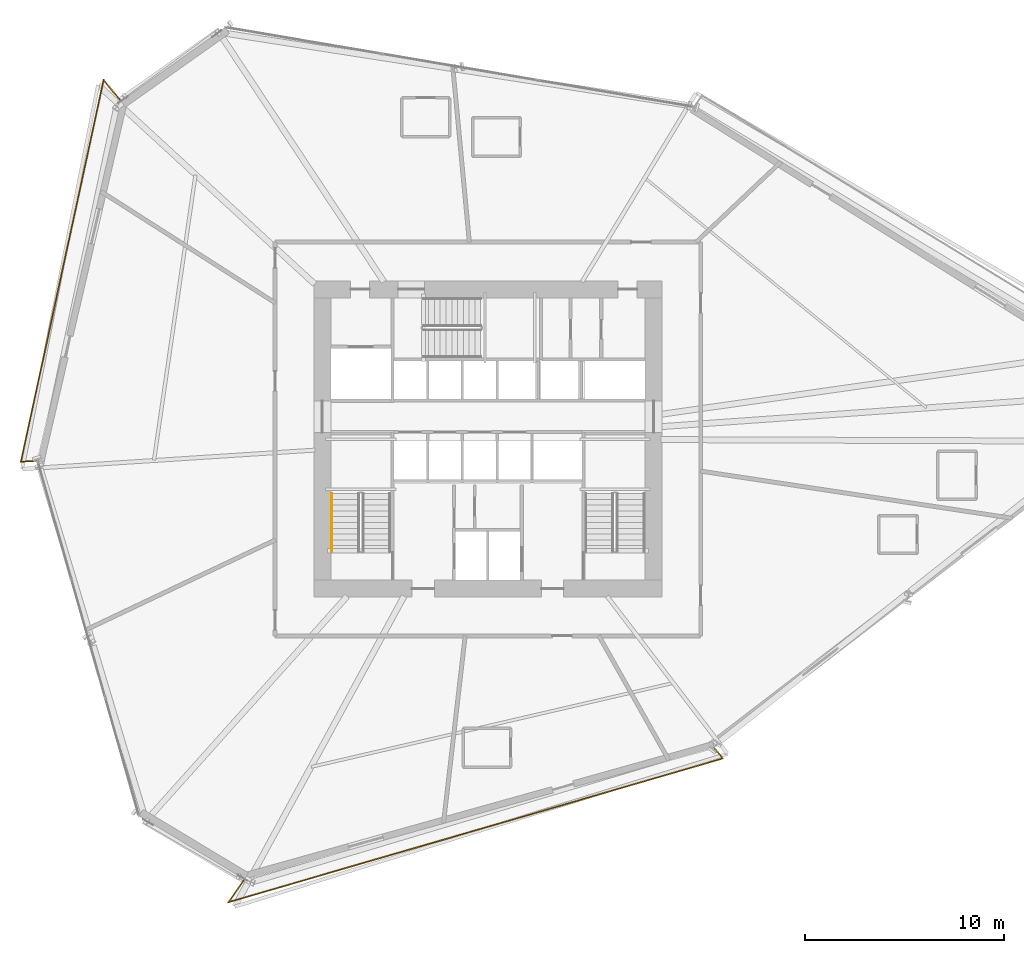
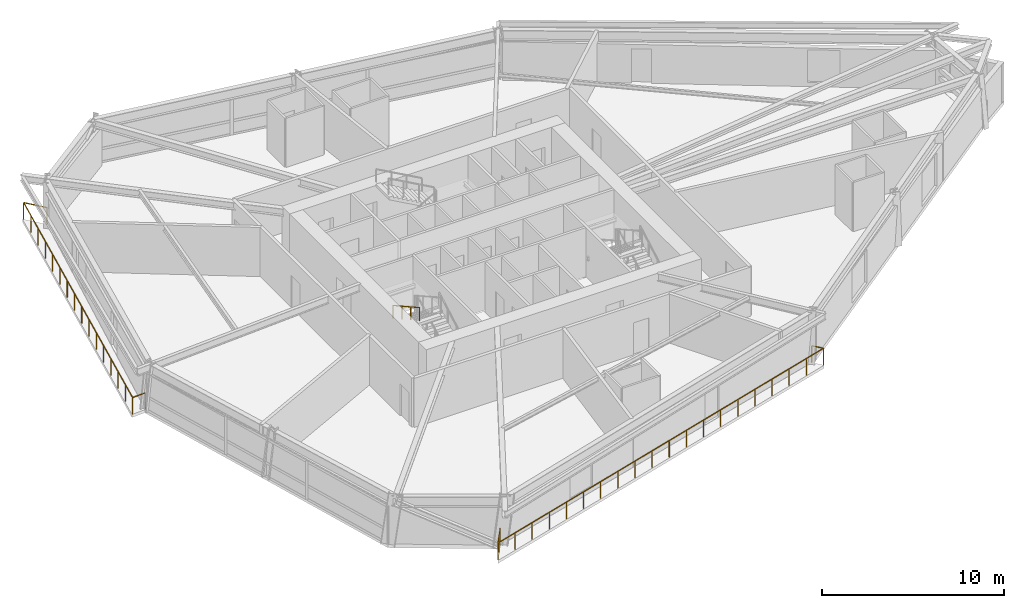
# One storey, part 19 of 21: 3 railings.
"""IFC4 building model written with IfcOpenShell, lengths in metres."""

from ifc_helpers import new_model, si_unit, direction, frame, origin, origin_2d, place, context, subcontext, project, spatial, rectangle, extrude, material, type_object, element, save


model = new_model("IFC4")

# Units and contexts
model_context = context("Model", 3, precision=1e-05, world=origin(), true_north=direction((0.0, 1.0)))
body_context = subcontext(model_context, "Body", "Model", "MODEL_VIEW")
ifc_project = project(units=[si_unit("LENGTHUNIT", "METRE"), si_unit("AREAUNIT", "SQUARE_METRE"), si_unit("VOLUMEUNIT", "CUBIC_METRE"), si_unit("PLANEANGLEUNIT", "RADIAN"), si_unit("MASSUNIT", "GRAM", prefix="KILO")], contexts=[model_context])

# Site, building, storey
site_placement = place(None, origin())
site = spatial("IfcSite", under=ifc_project, at=site_placement, CompositionType="ELEMENT")
building_placement = place(site_placement, origin())
building = spatial("IfcBuilding", under=site, at=building_placement, Name="Olszyna Solenne Hotel", CompositionType="ELEMENT")
storey_placement = place(building_placement, frame((0.0, 0.0, 47.050048828125)))
storey = spatial("IfcBuildingStorey", under=building, at=storey_placement, Name="L11", CompositionType="ELEMENT", Elevation=47.050048828125)

# Railings
ifc_material_1 = material(Name="Anodised bronze aluminium", Category="aluminium")
railing_type_1 = type_object("IfcRailingType", Name="GR-110", PredefinedType="BALUSTRADE", material=ifc_material_1)
railing_1_placement = place(storey_placement, frame((19.549560546875, 43.5888671875, 0.0)))
element("IfcRailing", 1, at=railing_1_placement, inside=storey, type_object=railing_type_1, Name="Loggia balcony balustrade guard GR-L11-LG2", PredefinedType="BALUSTRADE", context=body_context, shape_type="SweptSolid", body=[
    extrude(rectangle(XDim=0.048095703125, YDim=0.048095703125, at=origin_2d()), frame((0.0, 0.0, 1.1259765625), z_axis=(-0.632948589205, 0.774193828071, 0.0), x_axis=(-0.774193828071, -0.632948589205, 0.0)), (0.0, 0.0, 1.0), 1.37939453125),
    extrude(rectangle(XDim=0.048095703125, YDim=0.048095703125, at=origin_2d()), frame((-0.873046875, 1.06787109375, 1.1259765625), z_axis=(-0.211859569865, -0.97730011903, 0.0), x_axis=(0.97730011903, -0.211859569865, 0.0)), (0.0, 0.0, 1.0), 19.64794921875),
    extrude(rectangle(XDim=0.048095703125, YDim=0.048095703125, at=origin_2d()), frame((-5.03564453125, -18.134033203125, 1.1259765625), z_axis=(0.998510565652, 0.054558686588, 0.0), x_axis=(-0.054558686588, 0.998510565652, 0.0)), (0.0, 0.0, 1.0), 0.845703125),
    extrude(rectangle(XDim=0.0419921875, YDim=0.0419921875, at=origin_2d()), origin(), (0.0, 0.0, 1.0), 1.101806640625),
    extrude(rectangle(XDim=0.0419921875, YDim=0.0419921875, at=origin_2d()), frame((-0.873046875, 1.06787109375, 0.0)), (0.0, 0.0, 1.0), 1.101806640625),
    extrude(rectangle(XDim=0.0419921875, YDim=0.0419921875, at=origin_2d()), frame((-1.150634765625, -0.212158203125, 0.0)), (0.0, 0.0, 1.0), 1.101806640625),
    extrude(rectangle(XDim=0.0419921875, YDim=0.0419921875, at=origin_2d()), frame((-1.427978515625, -1.492431640625, 0.0)), (0.0, 0.0, 1.0), 1.101806640625),
    extrude(rectangle(XDim=0.0419921875, YDim=0.0419921875, at=origin_2d()), frame((-1.70556640625, -2.7724609375, 0.0)), (0.0, 0.0, 1.0), 1.101806640625),
    extrude(rectangle(XDim=0.0419921875, YDim=0.0419921875, at=origin_2d()), frame((-1.983154296875, -4.052734375, 0.0)), (0.0, 0.0, 1.0), 1.101806640625),
    extrude(rectangle(XDim=0.0419921875, YDim=0.0419921875, at=origin_2d()), frame((-2.260498046875, -5.332763671875, 0.0)), (0.0, 0.0, 1.0), 1.101806640625),
    extrude(rectangle(XDim=0.0419921875, YDim=0.0419921875, at=origin_2d()), frame((-2.5380859375, -6.61279296875, 0.0)), (0.0, 0.0, 1.0), 1.101806640625),
    extrude(rectangle(XDim=0.0419921875, YDim=0.0419921875, at=origin_2d()), frame((-2.815673828125, -7.89306640625, 0.0)), (0.0, 0.0, 1.0), 1.101806640625),
    extrude(rectangle(XDim=0.0419921875, YDim=0.0419921875, at=origin_2d()), frame((-3.093017578125, -9.173095703125, 0.0)), (0.0, 0.0, 1.0), 1.101806640625),
    extrude(rectangle(XDim=0.0419921875, YDim=0.0419921875, at=origin_2d()), frame((-3.37060546875, -10.453369140625, 0.0)), (0.0, 0.0, 1.0), 1.101806640625),
    extrude(rectangle(XDim=0.0419921875, YDim=0.0419921875, at=origin_2d()), frame((-3.648193359375, -11.7333984375, 0.0)), (0.0, 0.0, 1.0), 1.101806640625),
    extrude(rectangle(XDim=0.0419921875, YDim=0.0419921875, at=origin_2d()), frame((-3.925537109375, -13.013427734375, 0.0)), (0.0, 0.0, 1.0), 1.101806640625),
    extrude(rectangle(XDim=0.0419921875, YDim=0.0419921875, at=origin_2d()), frame((-4.203125, -14.293701171875, 0.0)), (0.0, 0.0, 1.0), 1.101806640625),
    extrude(rectangle(XDim=0.0419921875, YDim=0.0419921875, at=origin_2d()), frame((-4.480712890625, -15.57373046875, 0.0)), (0.0, 0.0, 1.0), 1.101806640625),
    extrude(rectangle(XDim=0.0419921875, YDim=0.0419921875, at=origin_2d()), frame((-4.758056640625, -16.85400390625, 0.0)), (0.0, 0.0, 1.0), 1.101806640625),
    extrude(rectangle(XDim=0.0419921875, YDim=0.0419921875, at=origin_2d()), frame((-5.03564453125, -18.134033203125, 0.0)), (0.0, 0.0, 1.0), 1.101806640625),
    extrude(rectangle(XDim=0.0419921875, YDim=0.0419921875, at=origin_2d()), frame((-4.191162109375, -18.087890625, 0.0)), (0.0, 0.0, 1.0), 1.101806640625),
])
railing_2_placement = place(storey_placement, frame((25.76025390625, 4.464111328125, 0.0)))
element("IfcRailing", 2, at=railing_2_placement, inside=storey, type_object=railing_type_1, Name="Loggia balcony balustrade guard GR-L11-LG3", PredefinedType="BALUSTRADE", context=body_context, shape_type="SweptSolid", body=[
    extrude(rectangle(XDim=0.048095703125, YDim=0.048095703125, at=origin_2d()), frame((0.0, 0.0, 1.1259765625), z_axis=(-0.575493406175, -0.817806419301, 0.0), x_axis=(0.817806419301, -0.575493406175, 0.0)), (0.0, 0.0, 1.0), 1.418701171875),
    extrude(rectangle(XDim=0.048095703125, YDim=0.048095703125, at=origin_2d()), frame((-0.81640625, -1.16015625, 1.1259765625), z_axis=(0.960243322919, 0.279164397424, 0.0), x_axis=(-0.279164397424, 0.960243322919, 0.0)), (0.0, 0.0, 1.0), 25.897705078125),
    extrude(rectangle(XDim=0.048095703125, YDim=0.048095703125, at=origin_2d()), frame((24.0517578125, 6.069580078125, 1.1259765625), z_axis=(-0.632562884149, 0.774509004207, 0.0), x_axis=(-0.774509004207, -0.632562884149, 0.0)), (0.0, 0.0, 1.0), 0.689697265625),
    extrude(rectangle(XDim=0.0419921875, YDim=0.0419921875, at=origin_2d()), origin(), (0.0, 0.0, 1.0), 1.101806640625),
    extrude(rectangle(XDim=0.0419921875, YDim=0.0419921875, at=origin_2d()), frame((-0.408203125, -0.580078125, 0.0)), (0.0, 0.0, 1.0), 1.101806640625),
    extrude(rectangle(XDim=0.0419921875, YDim=0.0419921875, at=origin_2d()), frame((-0.81640625, -1.16015625, 0.0)), (0.0, 0.0, 1.0), 1.101806640625),
    extrude(rectangle(XDim=0.0419921875, YDim=0.0419921875, at=origin_2d()), frame((0.492431640625, -0.779541015625, 0.0)), (0.0, 0.0, 1.0), 1.101806640625),
    extrude(rectangle(XDim=0.0419921875, YDim=0.0419921875, at=origin_2d()), frame((1.80126953125, -0.399169921875, 0.0)), (0.0, 0.0, 1.0), 1.101806640625),
    extrude(rectangle(XDim=0.0419921875, YDim=0.0419921875, at=origin_2d()), frame((3.110107421875, -0.0185546875, 0.0)), (0.0, 0.0, 1.0), 1.101806640625),
    extrude(rectangle(XDim=0.0419921875, YDim=0.0419921875, at=origin_2d()), frame((4.4189453125, 0.36181640625, 0.0)), (0.0, 0.0, 1.0), 1.101806640625),
    extrude(rectangle(XDim=0.0419921875, YDim=0.0419921875, at=origin_2d()), frame((5.727783203125, 0.742431640625, 0.0)), (0.0, 0.0, 1.0), 1.101806640625),
    extrude(rectangle(XDim=0.0419921875, YDim=0.0419921875, at=origin_2d()), frame((7.03662109375, 1.122802734375, 0.0)), (0.0, 0.0, 1.0), 1.101806640625),
    extrude(rectangle(XDim=0.0419921875, YDim=0.0419921875, at=origin_2d()), frame((8.345458984375, 1.50341796875, 0.0)), (0.0, 0.0, 1.0), 1.101806640625),
    extrude(rectangle(XDim=0.0419921875, YDim=0.0419921875, at=origin_2d()), frame((9.654296875, 1.884033203125, 0.0)), (0.0, 0.0, 1.0), 1.101806640625),
    extrude(rectangle(XDim=0.0419921875, YDim=0.0419921875, at=origin_2d()), frame((10.963134765625, 2.264404296875, 0.0)), (0.0, 0.0, 1.0), 1.101806640625),
    extrude(rectangle(XDim=0.0419921875, YDim=0.0419921875, at=origin_2d()), frame((12.272216796875, 2.64501953125, 0.0)), (0.0, 0.0, 1.0), 1.101806640625),
    extrude(rectangle(XDim=0.0419921875, YDim=0.0419921875, at=origin_2d()), frame((13.5810546875, 3.025390625, 0.0)), (0.0, 0.0, 1.0), 1.101806640625),
    extrude(rectangle(XDim=0.0419921875, YDim=0.0419921875, at=origin_2d()), frame((14.889892578125, 3.406005859375, 0.0)), (0.0, 0.0, 1.0), 1.101806640625),
    extrude(rectangle(XDim=0.0419921875, YDim=0.0419921875, at=origin_2d()), frame((16.19873046875, 3.78662109375, 0.0)), (0.0, 0.0, 1.0), 1.101806640625),
    extrude(rectangle(XDim=0.0419921875, YDim=0.0419921875, at=origin_2d()), frame((17.507568359375, 4.1669921875, 0.0)), (0.0, 0.0, 1.0), 1.101806640625),
    extrude(rectangle(XDim=0.0419921875, YDim=0.0419921875, at=origin_2d()), frame((18.81640625, 4.547607421875, 0.0)), (0.0, 0.0, 1.0), 1.101806640625),
    extrude(rectangle(XDim=0.0419921875, YDim=0.0419921875, at=origin_2d()), frame((20.125244140625, 4.927978515625, 0.0)), (0.0, 0.0, 1.0), 1.101806640625),
    extrude(rectangle(XDim=0.0419921875, YDim=0.0419921875, at=origin_2d()), frame((21.43408203125, 5.30859375, 0.0)), (0.0, 0.0, 1.0), 1.101806640625),
    extrude(rectangle(XDim=0.0419921875, YDim=0.0419921875, at=origin_2d()), frame((22.742919921875, 5.68896484375, 0.0)), (0.0, 0.0, 1.0), 1.101806640625),
    extrude(rectangle(XDim=0.0419921875, YDim=0.0419921875, at=origin_2d()), frame((24.0517578125, 6.069580078125, 0.0)), (0.0, 0.0, 1.0), 1.101806640625),
    extrude(rectangle(XDim=0.0419921875, YDim=0.0419921875, at=origin_2d()), frame((23.615478515625, 6.603759765625, 0.0)), (0.0, 0.0, 1.0), 1.101806640625),
])
ifc_material_2 = material(Name="Steel S355J2", Category="steel")
railing_type_2 = type_object("IfcRailingType", Name="HR-090", PredefinedType="HANDRAIL", material=ifc_material_2)
railing_3_placement = place(storey_placement, frame((30.14990234375, 23.85009765625, 1.936279296875)))
element("IfcRailing", 3, at=railing_3_placement, inside=storey, type_object=railing_type_2, Name="L11 ST1 stair handrail 2", PredefinedType="HANDRAIL", context=body_context, shape_type="SweptSolid", body=[
    extrude(rectangle(XDim=0.048095703125, YDim=0.048095703125, at=origin_2d()), frame((0.0, 0.0, 0.8759765625), z_axis=(0.0, -0.873827439584, 0.48623616261), x_axis=(1.0, 0.0, 0.0)), (0.0, 0.0, 1.0), 3.31884765625),
    extrude(rectangle(XDim=0.0419921875, YDim=0.0419921875, at=origin_2d()), origin(), (0.0, 0.0, 1.0), 0.851806640625),
    extrude(rectangle(XDim=0.0419921875, YDim=0.0419921875, at=origin_2d()), frame((0.0, -0.966796875, 0.537841796875)), (0.0, 0.0, 1.0), 0.851806640625),
    extrude(rectangle(XDim=0.0419921875, YDim=0.0419921875, at=origin_2d()), frame((0.0, -1.933349609375, 1.075927734375)), (0.0, 0.0, 1.0), 0.851806640625),
    extrude(rectangle(XDim=0.0419921875, YDim=0.0419921875, at=origin_2d()), frame((0.0, -2.900146484375, 1.61376953125)), (0.0, 0.0, 1.0), 0.851806640625),
])

save(model, "model.ifc")
